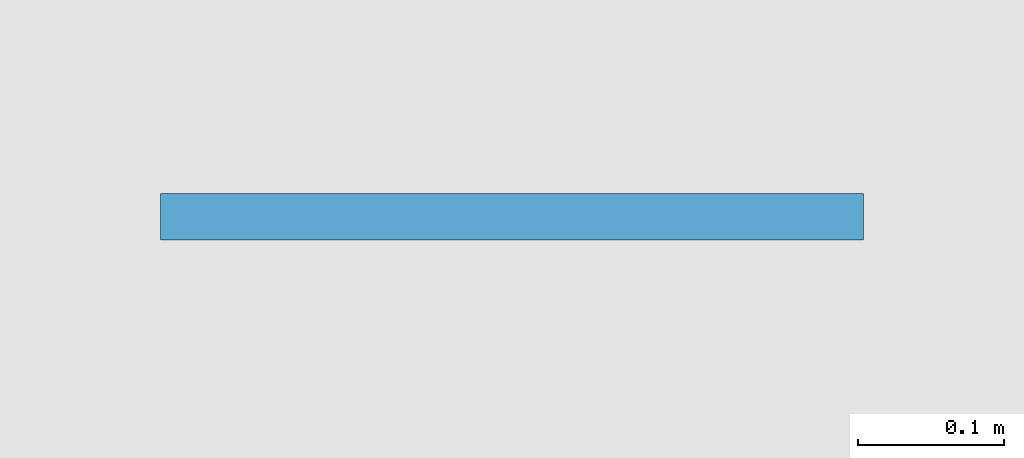
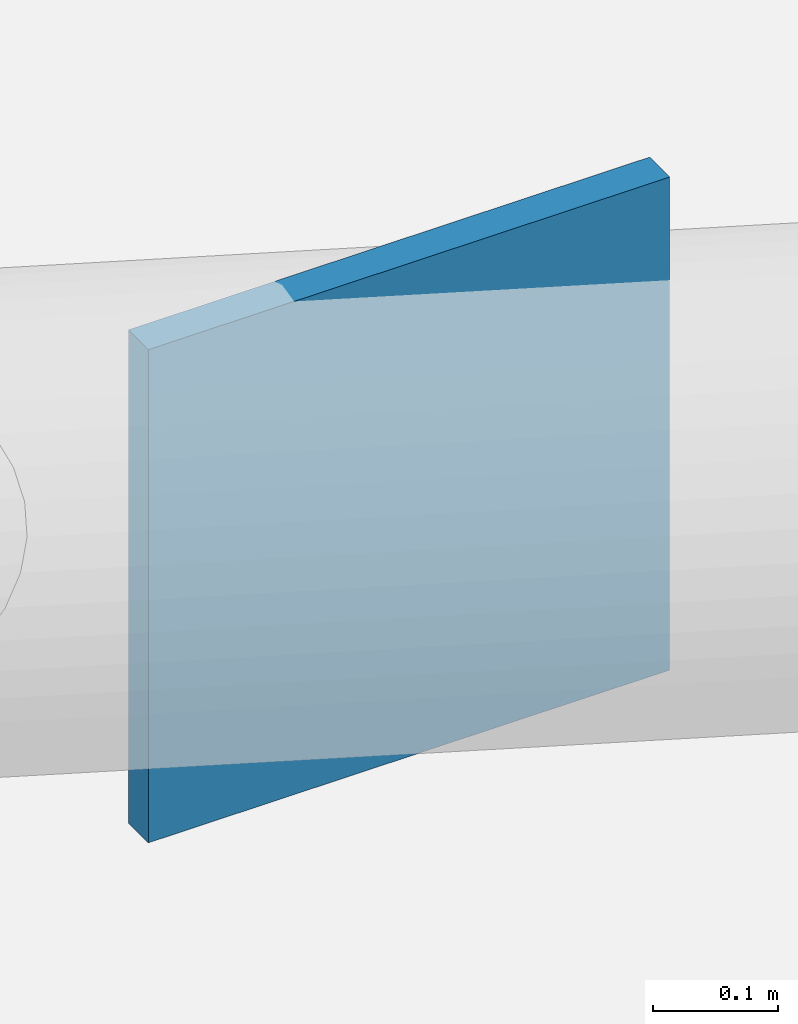
# One storey, part 3 of 11: 1 plate.
"""IFC4 building model written with IfcOpenShell, lengths in metres."""

from ifc_helpers import new_model, si_unit, direction, frame, origin, origin_2d, place, context, subcontext, project, spatial, rectangle, extrude, material, layer, layer_set, type_object, element, save


model = new_model("IFC4")

# Units and contexts
model_context = context("Model", 3, precision=1e-05, world=origin(), true_north=direction((0.0, 1.0)))
body_context = subcontext(model_context, "Body", "Model", "MODEL_VIEW")
ifc_project = project(units=[si_unit("LENGTHUNIT", "METRE"), si_unit("AREAUNIT", "SQUARE_METRE"), si_unit("VOLUMEUNIT", "CUBIC_METRE"), si_unit("PLANEANGLEUNIT", "RADIAN"), si_unit("MASSUNIT", "GRAM", prefix="KILO")], contexts=[model_context])

# Site, building, storey
site_placement = place(None, origin())
site = spatial("IfcSite", under=ifc_project, at=site_placement, CompositionType="ELEMENT")
building_placement = place(site_placement, origin())
building = spatial("IfcBuilding", under=site, at=building_placement, Name="Punatoya Terracotta Tower", CompositionType="ELEMENT")
storey_placement = place(building_placement, frame((0.0, 0.0, 237.0)))
storey = spatial("IfcBuildingStorey", under=building, at=storey_placement, Name="L56", CompositionType="ELEMENT", Elevation=237.0)

# Plate
ifc_material = material(Name="Steel S460", Category="steel")
ifc_layer = layer(ifc_material, 0.031982421875)
ifc_layer_set = layer_set([ifc_layer], Name="Steel S460")
plate_type = type_object("IfcPlateType", Name="PLT-END-32", PredefinedType="USERDEFINED", material=ifc_layer_set)
plate_placement = place(storey_placement, frame((16.9580078125, -17.5, 0.401611328125), z_axis=(0.0, 0.0, 1.0), x_axis=(1.0, 0.0, 0.0)))
element("IfcPlate", 1, at=plate_placement, inside=storey, type_object=plate_type, Name="L56 Ring Strut NST-2 End Plate 2", ObjectType="FLANGE_PLATE", PredefinedType="USERDEFINED", context=body_context, shape_type="SweptSolid", body=[
    extrude(rectangle(XDim=0.47998046875, YDim=0.031982421875, at=origin_2d()), origin(), (0.0, 0.0, 1.0), 0.47998046875),
])

save(model, "model.ifc")
